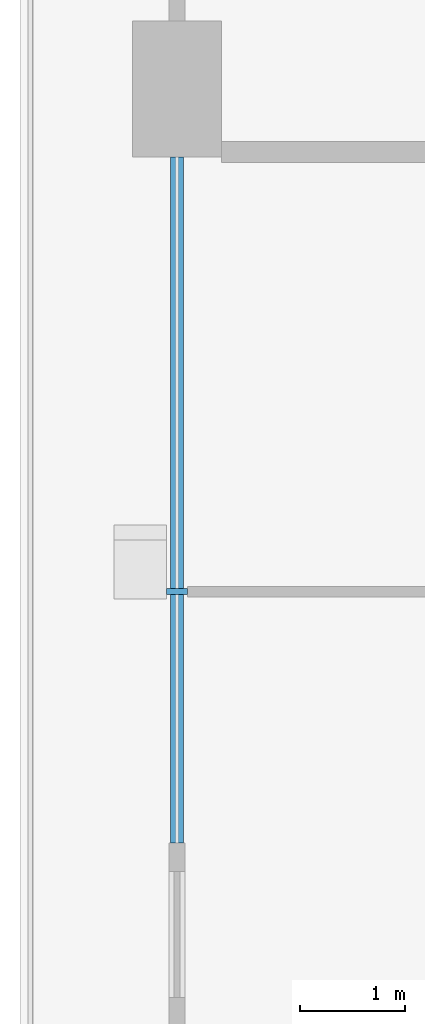
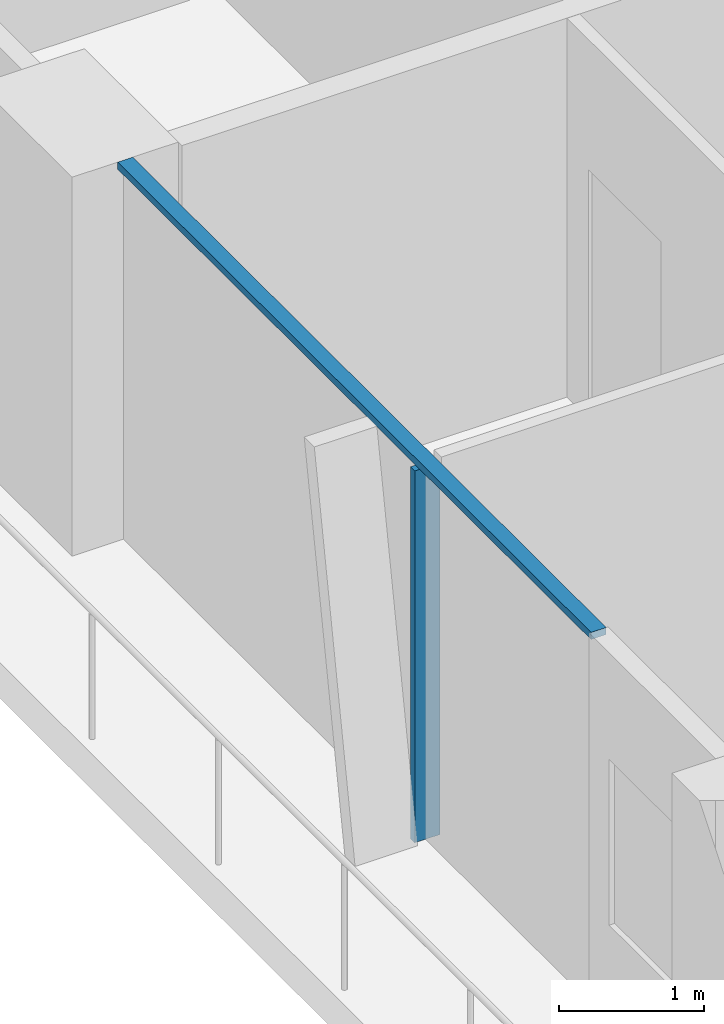
# One storey, part 3 of 21: 2 members, 1 element without a shape of its own.
"""IFC4 building model written with IfcOpenShell, lengths in metres."""

from ifc_helpers import new_model, si_unit, direction, frame, origin, origin_2d, place, context, subcontext, project, spatial, rectangle, extrude, material, layer, layer_set, material_profile, profile_set, type_object, element, aggregate, save


model = new_model("IFC4")

# Units and contexts
model_context = context("Model", 3, precision=1e-05, world=origin(), true_north=direction((0.0, 1.0)))
body_context = subcontext(model_context, "Body", "Model", "MODEL_VIEW")
ifc_project = project(units=[si_unit("LENGTHUNIT", "METRE"), si_unit("AREAUNIT", "SQUARE_METRE"), si_unit("VOLUMEUNIT", "CUBIC_METRE"), si_unit("PLANEANGLEUNIT", "RADIAN"), si_unit("MASSUNIT", "GRAM", prefix="KILO")], contexts=[model_context])

# Site, building, storey
site_placement = place(None, origin())
site = spatial("IfcSite", under=ifc_project, at=site_placement, CompositionType="ELEMENT")
building_placement = place(site_placement, origin())
building = spatial("IfcBuilding", under=site, at=building_placement, Name="Madar Terraces", CompositionType="ELEMENT")
storey_placement = place(building_placement, frame((0.0, 0.0, 106.699951171875)))
storey = spatial("IfcBuildingStorey", under=building, at=storey_placement, Name="L27", CompositionType="ELEMENT", Elevation=106.699951171875)

# Curtain wall, members
ifc_material_1 = material(Name="Glass, ceramic frit dark grey, with black aluminium frame", Category="aluminium")
ifc_layer = layer(ifc_material_1, 0.199951171875)
ifc_layer_set = layer_set([ifc_layer], Name="Facade curtain wall, fritted glass")
curtain_wall_type = type_object("IfcCurtainWallType", Name="Facade curtain wall, fritted glass", PredefinedType="NOTDEFINED", material=ifc_layer_set)
curtain_wall_placement = place(storey_placement, origin())
curtain_wall = element("IfcCurtainWall", 1, at=curtain_wall_placement, inside=storey, type_object=curtain_wall_type, Name="Outer skin curtain wall west bay 2", PredefinedType="NOTDEFINED")
ifc_material_2 = material(Name="Aluminium, black anodised", Category="aluminium")
ifc_material_profile_1 = material_profile(ifc_material_2, rectangle(XDim=0.199951171875, YDim=0.06005859375, at=origin_2d()), Name="Facade mullion 60x200")
ifc_profile_set_1 = profile_set([ifc_material_profile_1], Name="Aluminium, black anodised")
member_type_1 = type_object("IfcMemberType", Name="Facade mullion 60x200", PredefinedType="MULLION", material=ifc_profile_set_1)
member_1_placement = place(storey_placement, frame((4.800048828125, 33.60009765625, 0.0), z_axis=(0.0, 0.0, 1.0), x_axis=(1.0, 0.0, 0.0)))
member_1 = element("IfcMember", 2, at=member_1_placement, type_object=member_type_1, Name="Mullion 1", PredefinedType="MULLION", context=body_context, shape_type="SweptSolid", body=[
    extrude(rectangle(XDim=0.199951171875, YDim=0.06005859375, at=origin_2d()), origin(), (0.0, 0.0, 1.0), 3.14013671875),
])
ifc_material_3 = material(Name="Aluminium, black anodised", Category="aluminium")
ifc_material_profile_2 = material_profile(ifc_material_3, rectangle(XDim=0.1201171875, YDim=0.06005859375, at=origin_2d()), Name="Facade transom 60x120")
ifc_profile_set_2 = profile_set([ifc_material_profile_2], Name="Aluminium, black anodised")
member_type_2 = type_object("IfcMemberType", Name="Facade transom 60x120", PredefinedType="USERDEFINED", material=ifc_profile_set_2)
member_2_placement = place(storey_placement, frame((4.800048828125, 37.75, 3.170166015625), z_axis=(0.0, -1.0, 0.0), x_axis=(1.0, 0.0, 0.0)))
member_2 = element("IfcMember", 3, at=member_2_placement, type_object=member_type_2, Name="Transom 1", ObjectType="TRANSOM", PredefinedType="USERDEFINED", context=body_context, shape_type="SweptSolid", body=[
    extrude(rectangle(XDim=0.1201171875, YDim=0.06005859375, at=origin_2d()), origin(), (0.0, 0.0, 1.0), 6.550048828125),
])
aggregate(curtain_wall, [member_1, member_2])

save(model, "model.ifc")
